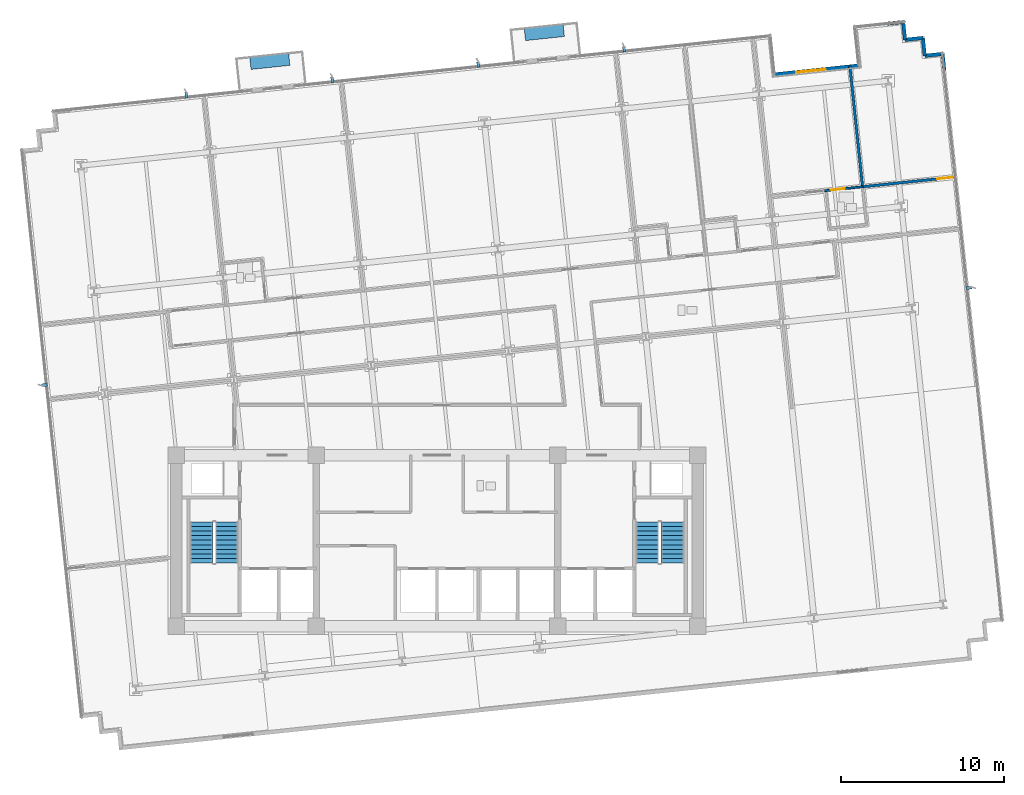
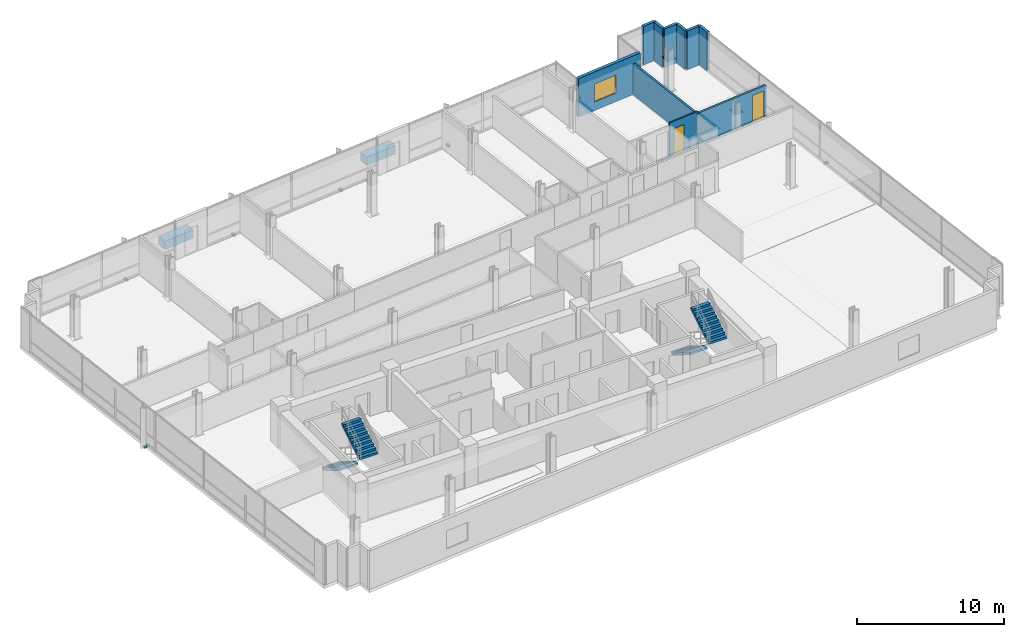
# One storey, part 16 of 21: 10 walls, 8 discrete accessories, 4 stair flights, 2 doors, 1 window, 3 openings, 2 elements without a shape of their own.
"""IFC4 building model written with IfcOpenShell, lengths in metres."""

from ifc_helpers import new_model, si_unit, direction, frame, frame_2d, origin, origin_2d, place, context, subcontext, project, spatial, polyline, rectangle, outline, extrude, material, layer, layer_set, type_object, element, fill, aggregate, save


model = new_model("IFC4")

# Units and contexts
model_context = context("Model", 3, precision=1e-05, world=origin(), true_north=direction((0.0, 1.0)))
body_context = subcontext(model_context, "Body", "Model", "MODEL_VIEW")
ifc_project = project(units=[si_unit("LENGTHUNIT", "METRE"), si_unit("AREAUNIT", "SQUARE_METRE"), si_unit("VOLUMEUNIT", "CUBIC_METRE"), si_unit("PLANEANGLEUNIT", "RADIAN"), si_unit("MASSUNIT", "GRAM", prefix="KILO")], contexts=[model_context])

# Site, building, storey
site_placement = place(None, origin())
site = spatial("IfcSite", under=ifc_project, at=site_placement, CompositionType="ELEMENT")
building_placement = place(site_placement, origin())
building = spatial("IfcBuilding", under=site, at=building_placement, Name="Solmavex Isthmus Hotel", CompositionType="ELEMENT")
storey_placement = place(building_placement, frame((0.0, 0.0, 113.25)))
storey = spatial("IfcBuildingStorey", under=building, at=storey_placement, Name="L30", CompositionType="ELEMENT", Elevation=113.25)

# Wall, opening, window
ifc_material_1 = material(Name="Precast Concrete C40/50", Category="concrete")
ifc_layer_1 = layer(ifc_material_1, 0.25)
ifc_layer_set_1 = layer_set([ifc_layer_1], Name="Precast Concrete C40/50")
wall_type_1 = type_object("IfcWallType", Name="EW-TWR-250", PredefinedType="STANDARD", material=ifc_layer_set_1)
wall_1_placement = place(storey_placement, frame((20.6982421875, 20.8369140625, 0.0), z_axis=(0.0, 0.0, 1.0), x_axis=(0.994519078969, 0.104555256048, 0.0)))
wall_1 = element("IfcWall", 1, at=wall_1_placement, inside=storey, type_object=wall_type_1, Name="Sky Garden Back Facade Wall L30", PredefinedType="STANDARD", context=body_context, shape_type="SweptSolid", body=[
    extrude(rectangle(XDim=5.2001953125, YDim=0.25, at=frame_2d((2.60009765625, 0.0))), origin(), (0.0, 0.0, 1.0), 3.18994140625),
])
opening_1_placement = place(wall_1_placement, frame((1.35009765625, 0.0, 0.699951171875)))
opening_1 = element("IfcOpeningElement", 2, at=opening_1_placement, cuts=wall_1, Name="Opening WN-02", PredefinedType="OPENING", context=body_context, shape_type="SweptSolid", body=[
    extrude(rectangle(XDim=1.800048828125, YDim=1.5, at=frame_2d((0.89990234375, 0.75))), frame((0.0, 0.135009765625, 0.0), z_axis=(0.0, -1.0, 0.0), x_axis=(1.0, 0.0, 0.0)), (0.0, 0.0, 1.0), 0.27001953125),
])
ifc_material_2 = material(Name="Clear low-E laminated glass", Category="glass")
window_type = type_object("IfcWindowType", Name="WIN-TWR-1800", PartitioningType="SINGLE_PANEL", PredefinedType="WINDOW", material=ifc_material_2)
window_placement = place(opening_1_placement, origin())
window = element("IfcWindow", 3, at=window_placement, inside=storey, type_object=window_type, Name="Sky Garden Overlook Window L30", OverallHeight=1.5, OverallWidth=1.800048828125, PartitioningType="SINGLE_PANEL", PredefinedType="WINDOW", context=body_context, shape_type="SweptSolid", body=[
    extrude(rectangle(XDim=1.800048828125, YDim=1.5, at=frame_2d((0.89990234375, 0.75))), frame((0.0, 0.030029296875, 0.0), z_axis=(0.0, -1.0, 0.0), x_axis=(1.0, 0.0, 0.0)), (0.0, 0.0, 1.0), 0.06005859375),
])
fill(opening_1, window)

# Walls
wall_2_placement = place(storey_placement, frame((27.609130859375, 23.966552734375, 0.0), z_axis=(0.0, 0.0, 1.0), x_axis=(0.994516259927, 0.104582067016, 0.0)))
element("IfcWall", 4, at=wall_2_placement, inside=storey, type_object=wall_type_1, Name="Serrated Corner Facade Panel L30-14", PredefinedType="STANDARD", context=body_context, shape_type="SweptSolid", body=[
    extrude(rectangle(XDim=0.98974609375, YDim=0.219970703125, at=frame_2d((0.494873046875, 0.0))), origin(), (0.0, 0.0, 1.0), 3.18994140625),
])
for number, where, z_axis, x_axis, name in (
    (5, (28.593505859375, 24.070068359375, 0.0), (0.0, 0.0, 1.0), (0.104534592565, -0.994521251134, 0.0), "Serrated Corner Facade Panel L30-15"),
    (6, (28.70849609375, 22.97607421875, 0.0), (0.0, 0.0, 1.0), (0.994521251134, 0.104534592565, 0.0), "Serrated Corner Facade Panel L30-16"),
    (7, (29.802490234375, 23.091064453125, 0.0), (0.0, 0.0, 1.0), (0.104534592565, -0.994521251134, 0.0), "Serrated Corner Facade Panel L30-17"),
    (8, (29.91748046875, 21.9970703125, 0.0), (0.0, 0.0, 1.0), (0.994521251134, 0.104534592565, 0.0), "Serrated Corner Facade Panel L30-18"),
):
    element("IfcWall", number, at=place(storey_placement, frame(where, z_axis=z_axis, x_axis=x_axis)), inside=storey, type_object=wall_type_1, Name=name, PredefinedType="STANDARD", context=body_context, shape_type="SweptSolid", body=[
        extrude(rectangle(XDim=1.10009765625, YDim=0.219970703125, at=frame_2d((0.550048828125, 0.0))), origin(), (0.0, 0.0, 1.0), 3.18994140625),
    ])
wall_3_placement = place(storey_placement, frame((31.011474609375, 22.112060546875, 0.0), z_axis=(0.0, 0.0, 1.0), x_axis=(0.104556418955, -0.99451895671, 0.0)))
element("IfcWall", 9, at=wall_3_placement, inside=storey, type_object=wall_type_1, Name="Serrated Corner Facade Panel L30-19", PredefinedType="STANDARD", context=body_context, shape_type="SweptSolid", body=[
    extrude(rectangle(XDim=0.989990234375, YDim=0.219970703125, at=frame_2d((0.4951171875, 0.0))), origin(), (0.0, 0.0, 1.0), 3.18994140625),
])

# Wall, opening, door
ifc_material_3 = material(Name="Gypsum plasterboard lining", Category="gypsum")
ifc_layer_2 = layer(ifc_material_3, 0.159912109375)
ifc_layer_set_2 = layer_set([ifc_layer_2], Name="Gypsum plasterboard lining")
wall_type_2 = type_object("IfcWallType", Name="IW-COMP-160", PredefinedType="PARTITIONING", material=ifc_layer_set_2)
wall_4_placement = place(storey_placement, frame((26.052734375, 13.95703125, 0.0), z_axis=(0.0, 0.0, 1.0), x_axis=(0.994523155578, 0.104516472481, 0.0)))
wall_4 = element("IfcWall", 10, at=wall_4_placement, inside=storey, type_object=wall_type_2, Name="Interior Partition Wall W-L30-P047", PredefinedType="PARTITIONING", context=body_context, shape_type="SweptSolid", body=[
    extrude(rectangle(XDim=5.81396484375, YDim=0.159912109375, at=frame_2d((2.906982421875, 0.0))), origin(), (0.0, 0.0, 1.0), 2.55322265625),
])
opening_2_placement = place(wall_4_placement, frame((4.654052734375, 0.0, 0.0)))
opening_2 = element("IfcOpeningElement", 11, at=opening_2_placement, cuts=wall_4, Name="Opening ID-C095", PredefinedType="OPENING", context=body_context, shape_type="SweptSolid", body=[
    extrude(rectangle(XDim=0.949951171875, YDim=2.14990234375, at=frame_2d((0.47509765625, 1.074951171875))), frame((0.0, 0.08984375, 0.0), z_axis=(0.0, -1.0, 0.0), x_axis=(1.0, 0.0, 0.0)), (0.0, 0.0, 1.0), 0.179931640625),
])
ifc_material_4 = material(Name="Hardwood timber", Category="wood")
door_type_1 = type_object("IfcDoorType", Name="IDR-FD60-0950", OperationType="NOTDEFINED", PredefinedType="DOOR", material=ifc_material_4)
door_1_placement = place(opening_2_placement, origin())
door_1 = element("IfcDoor", 12, at=door_1_placement, inside=storey, type_object=door_type_1, Name="Ambassador Panorama Suite Panorama Sitting Study Door L30-11", OperationType="SINGLE_SWING_LEFT", OverallHeight=2.14990234375, OverallWidth=0.949951171875, PredefinedType="DOOR", context=body_context, shape_type="SweptSolid", body=[
    extrude(rectangle(XDim=0.949951171875, YDim=2.14990234375, at=frame_2d((0.47509765625, 1.074951171875))), frame((0.0, 0.02490234375, 0.0), z_axis=(0.0, -1.0, 0.0), x_axis=(1.0, 0.0, 0.0)), (0.0, 0.0, 1.0), 0.050048828125),
])
fill(opening_2, door_1)

# Wall
wall_5_placement = place(storey_placement, frame((25.32470703125, 21.363525390625, 0.0), z_axis=(0.0, 0.0, 1.0), x_axis=(0.1045132307, -0.994523496258, 0.0)))
element("IfcWall", 13, at=wall_5_placement, inside=storey, type_object=wall_type_2, Name="Interior Partition Wall W-L30-P052", PredefinedType="PARTITIONING", context=body_context, shape_type="SweptSolid", body=[
    extrude(rectangle(XDim=7.482177734375, YDim=0.159912109375, at=frame_2d((3.7412109375, 0.0))), origin(), (0.0, 0.0, 1.0), 2.55322265625),
])

# Wall, opening, door
ifc_layer_3 = layer(ifc_material_3, 0.1201171875)
ifc_layer_set_3 = layer_set([ifc_layer_3], Name="Gypsum plasterboard lining")
wall_type_3 = type_object("IfcWallType", Name="IW-PART-120", PredefinedType="PARTITIONING", material=ifc_layer_set_3)
wall_6_placement = place(storey_placement, frame((26.142333984375, 13.96630859375, 0.0), z_axis=(0.0, 0.0, 1.0), x_axis=(-0.994528550709, -0.104465122526, 0.0)))
wall_6 = element("IfcWall", 14, at=wall_6_placement, inside=storey, type_object=wall_type_3, Name="Interior Partition Wall W-L30-P053", PredefinedType="PARTITIONING", context=body_context, shape_type="SweptSolid", body=[
    extrude(rectangle(XDim=2.3720703125, YDim=0.1201171875, at=frame_2d((1.18603515625, 0.0))), origin(), (0.0, 0.0, 1.0), 2.718017578125),
])
opening_3_placement = place(wall_6_placement, frame((1.14599609375, 0.0, 0.0)))
opening_3 = element("IfcOpeningElement", 15, at=opening_3_placement, cuts=wall_6, Name="Opening ID-U085", PredefinedType="OPENING", context=body_context, shape_type="SweptSolid", body=[
    extrude(rectangle(XDim=0.85009765625, YDim=2.10009765625, at=frame_2d((0.425048828125, 1.050048828125))), frame((0.0, 0.070068359375, 0.0), z_axis=(0.0, -1.0, 0.0), x_axis=(1.0, 0.0, 0.0)), (0.0, 0.0, 1.0), 0.14013671875),
])
door_type_2 = type_object("IfcDoorType", Name="IDR-UNR-0850", OperationType="NOTDEFINED", PredefinedType="DOOR", material=ifc_material_4)
door_2_placement = place(opening_3_placement, frame((0.85009765625, 0.0, 0.0), z_axis=(0.0, 0.0, 1.0), x_axis=(-1.0, 0.0, 0.0)))
door_2 = element("IfcDoor", 16, at=door_2_placement, inside=storey, type_object=door_type_2, Name="En-suite Bathroom Door L30-12", OperationType="SINGLE_SWING_RIGHT", OverallHeight=2.10009765625, OverallWidth=0.85009765625, PredefinedType="DOOR", context=body_context, shape_type="SweptSolid", body=[
    extrude(rectangle(XDim=0.85009765625, YDim=2.10009765625, at=frame_2d((0.425048828125, 1.050048828125))), frame((0.0, 0.02490234375, 0.0), z_axis=(0.0, -1.0, 0.0), x_axis=(1.0, 0.0, 0.0)), (0.0, 0.0, 1.0), 0.050048828125),
])
fill(opening_3, door_2)

# Stair, stair flights
ifc_material_5 = material(Name="Concrete C40/50", Category="concrete")
stair_type_1 = type_object("IfcStairType", Name="STR-ST-1", PredefinedType="HALF_TURN_STAIR", material=ifc_material_5)
stair_1_placement = place(storey_placement, origin())
stair_1 = element("IfcStair", 17, at=stair_1_placement, inside=storey, type_object=stair_type_1, Name="L30 Protected Exit Stair ST-1", PredefinedType="HALF_TURN_STAIR")
stair_flight_type_1 = type_object("IfcStairFlightType", Name="SFL-ST-1", PredefinedType="STRAIGHT", material=ifc_material_5)
stair_flight_1_placement = place(storey_placement, frame((-14.449951171875, -6.60009765625, 0.0), z_axis=(0.0, 0.0, 1.0), x_axis=(0.0, -1.0, 0.0)))
stair_flight_1 = element("IfcStairFlight", 18, at=stair_flight_1_placement, type_object=stair_flight_type_1, Name="ST-1 flight 1", NumberOfRisers=10, NumberOfTreads=9, PredefinedType="STRAIGHT", RiserHeight=0.1725, TreadLength=0.28, context=body_context, shape_type="SweptSolid", body=[
    extrude(outline(polyline([(0.0, 0.0), (0.0, 0.172607421875), (0.280029296875, 0.172607421875), (0.280029296875, 0.344970703125), (0.56005859375, 0.344970703125), (0.56005859375, 0.517578125), (0.840087890625, 0.517578125), (0.840087890625, 0.68994140625), (1.1201171875, 0.68994140625), (1.1201171875, 0.862548828125), (1.39990234375, 0.862548828125), (1.39990234375, 1.034912109375), (1.679931640625, 1.034912109375), (1.679931640625, 1.20751953125), (1.9599609375, 1.20751953125), (1.9599609375, 1.3798828125), (2.239990234375, 1.3798828125), (2.239990234375, 1.552490234375), (2.52001953125, 1.552490234375), (2.52001953125, 1.72509765625), (2.52001953125, 1.37646484375), (0.285888671875, 0.0), (0.0, 0.0)])), frame((0.0, 0.699951171875, 0.0), z_axis=(0.0, -1.0, 0.0), x_axis=(1.0, 0.0, 0.0)), (0.0, 0.0, 1.0), 1.39990234375),
])
stair_flight_2_placement = place(storey_placement, frame((-12.89990234375, -9.1201171875, 1.72509765625), z_axis=(0.0, 0.0, 1.0), x_axis=(0.0, 1.0, 0.0)))
stair_flight_2 = element("IfcStairFlight", 19, at=stair_flight_2_placement, type_object=stair_flight_type_1, Name="ST-1 flight 2", NumberOfRisers=10, NumberOfTreads=9, PredefinedType="STRAIGHT", RiserHeight=0.1725, TreadLength=0.28, context=body_context, shape_type="SweptSolid", body=[
    extrude(outline(polyline([(0.0, 0.0), (0.0, 0.172607421875), (0.280029296875, 0.172607421875), (0.280029296875, 0.344970703125), (0.56005859375, 0.344970703125), (0.56005859375, 0.517578125), (0.840087890625, 0.517578125), (0.840087890625, 0.68994140625), (1.1201171875, 0.68994140625), (1.1201171875, 0.862548828125), (1.39990234375, 0.862548828125), (1.39990234375, 1.034912109375), (1.679931640625, 1.034912109375), (1.679931640625, 1.20751953125), (1.9599609375, 1.20751953125), (1.9599609375, 1.3798828125), (2.239990234375, 1.3798828125), (2.239990234375, 1.552490234375), (2.52001953125, 1.552490234375), (2.52001953125, 1.72509765625), (2.52001953125, 1.37646484375), (0.285888671875, 0.0), (0.0, 0.0)])), frame((0.0, 0.699951171875, 0.0), z_axis=(0.0, -1.0, 0.0), x_axis=(1.0, 0.0, 0.0)), (0.0, 0.0, 1.0), 1.39990234375),
])
aggregate(stair_1, [stair_flight_1, stair_flight_2])

stair_type_2 = type_object("IfcStairType", Name="STR-ST-2", PredefinedType="HALF_TURN_STAIR", material=ifc_material_5)
stair_2_placement = place(storey_placement, origin())
stair_2 = element("IfcStair", 20, at=stair_2_placement, inside=storey, type_object=stair_type_2, Name="L30 Protected Exit Stair ST-2", PredefinedType="HALF_TURN_STAIR")
stair_flight_type_2 = type_object("IfcStairFlightType", Name="SFL-ST-2", PredefinedType="STRAIGHT", material=ifc_material_5)
stair_flight_3_placement = place(storey_placement, frame((12.89990234375, -6.60009765625, 0.0), z_axis=(0.0, 0.0, 1.0), x_axis=(0.0, -1.0, 0.0)))
stair_flight_3 = element("IfcStairFlight", 21, at=stair_flight_3_placement, type_object=stair_flight_type_2, Name="ST-2 flight 1", NumberOfRisers=10, NumberOfTreads=9, PredefinedType="STRAIGHT", RiserHeight=0.1725, TreadLength=0.28, context=body_context, shape_type="SweptSolid", body=[
    extrude(outline(polyline([(0.0, 0.0), (0.0, 0.172607421875), (0.280029296875, 0.172607421875), (0.280029296875, 0.344970703125), (0.56005859375, 0.344970703125), (0.56005859375, 0.517578125), (0.840087890625, 0.517578125), (0.840087890625, 0.68994140625), (1.1201171875, 0.68994140625), (1.1201171875, 0.862548828125), (1.39990234375, 0.862548828125), (1.39990234375, 1.034912109375), (1.679931640625, 1.034912109375), (1.679931640625, 1.20751953125), (1.9599609375, 1.20751953125), (1.9599609375, 1.3798828125), (2.239990234375, 1.3798828125), (2.239990234375, 1.552490234375), (2.52001953125, 1.552490234375), (2.52001953125, 1.72509765625), (2.52001953125, 1.37646484375), (0.285888671875, 0.0), (0.0, 0.0)])), frame((0.0, 0.699951171875, 0.0), z_axis=(0.0, -1.0, 0.0), x_axis=(1.0, 0.0, 0.0)), (0.0, 0.0, 1.0), 1.39990234375),
])
stair_flight_4_placement = place(storey_placement, frame((14.449951171875, -9.1201171875, 1.72509765625), z_axis=(0.0, 0.0, 1.0), x_axis=(0.0, 1.0, 0.0)))
stair_flight_4 = element("IfcStairFlight", 22, at=stair_flight_4_placement, type_object=stair_flight_type_2, Name="ST-2 flight 2", NumberOfRisers=10, NumberOfTreads=9, PredefinedType="STRAIGHT", RiserHeight=0.1725, TreadLength=0.28, context=body_context, shape_type="SweptSolid", body=[
    extrude(outline(polyline([(0.0, 0.0), (0.0, 0.172607421875), (0.280029296875, 0.172607421875), (0.280029296875, 0.344970703125), (0.56005859375, 0.344970703125), (0.56005859375, 0.517578125), (0.840087890625, 0.517578125), (0.840087890625, 0.68994140625), (1.1201171875, 0.68994140625), (1.1201171875, 0.862548828125), (1.39990234375, 0.862548828125), (1.39990234375, 1.034912109375), (1.679931640625, 1.034912109375), (1.679931640625, 1.20751953125), (1.9599609375, 1.20751953125), (1.9599609375, 1.3798828125), (2.239990234375, 1.3798828125), (2.239990234375, 1.552490234375), (2.52001953125, 1.552490234375), (2.52001953125, 1.72509765625), (2.52001953125, 1.37646484375), (0.285888671875, 0.0), (0.0, 0.0)])), frame((0.0, 0.699951171875, 0.0), z_axis=(0.0, -1.0, 0.0), x_axis=(1.0, 0.0, 0.0)), (0.0, 0.0, 1.0), 1.39990234375),
])
aggregate(stair_2, [stair_flight_3, stair_flight_4])

# Discrete accessories
ifc_material_6 = material(Name="Steel ASTM A572 Grade 50", Category="steel")
discrete_accessory_type_1 = type_object("IfcDiscreteAccessoryType", Name="ACC-BRK-FIN", PredefinedType="BRACKET", material=ifc_material_6)
for number, where, z_axis, x_axis, name in (
    (23, (-15.367919921875, 19.580078125, -0.169921875), (0.0, 0.0, 1.0), (-0.104528463268, 0.994521895368, 0.0), "Facade Fin Support Bracket L30-N1"),
    (24, (-6.417236328125, 20.52099609375, -0.169921875), (0.0, 0.0, 1.0), (-0.104528463268, 0.994521895368, 0.0), "Facade Fin Support Bracket L30-N2"),
    (25, (2.533447265625, 21.461669921875, -0.169921875), (0.0, 0.0, 1.0), (-0.104528463268, 0.994521895368, 0.0), "Facade Fin Support Bracket L30-N3"),
    (26, (11.484130859375, 22.40234375, -0.169921875), (0.0, 0.0, 1.0), (-0.104528463268, 0.994521895368, 0.0), "Facade Fin Support Bracket L30-N4"),
    (27, (-24.077392578125, 1.802490234375, -0.169921875), (0.0, 0.0, 1.0), (-0.994521895368, -0.104528463268, 0.0), "Facade Fin Support Bracket L30-W1"),
    (28, (32.650146484375, 7.7646484375, -0.169921875), (0.0, 0.0, 1.0), (0.994521895368, 0.104528463268, 0.0), "Facade Fin Support Bracket L30-E1"),
):
    element("IfcDiscreteAccessory", number, at=place(storey_placement, frame(where, z_axis=z_axis, x_axis=x_axis)), inside=storey, type_object=discrete_accessory_type_1, Name=name, PredefinedType="BRACKET", context=body_context, shape_type="SweptSolid", body=[
        extrude(rectangle(XDim=0.340087890625, YDim=0.179931640625, at=origin_2d()), origin(), (0.0, 0.0, 1.0), 0.159912109375),
    ])
discrete_accessory_type_2 = type_object("IfcDiscreteAccessoryType", Name="ACC-PLN-BALC", PredefinedType="USERDEFINED", material=ifc_material_1)
for number, where, z_axis, x_axis, name in (
    (29, (-10.255859375, 21.656005859375, 0.0), (0.0, 0.0, 1.0), (0.994521895368, 0.104528463268, 0.0), "Tree-Balcony Architectural Planter L30-B1"),
    (30, (6.583251953125, 23.42578125, 0.0), (0.0, 0.0, 1.0), (0.994521895368, 0.104528463268, 0.0), "Tree-Balcony Architectural Planter L30-B2"),
):
    element("IfcDiscreteAccessory", number, at=place(storey_placement, frame(where, z_axis=z_axis, x_axis=x_axis)), inside=storey, type_object=discrete_accessory_type_2, Name=name, ObjectType="PLANTER", PredefinedType="USERDEFINED", context=body_context, shape_type="SweptSolid", body=[
        extrude(rectangle(XDim=2.39990234375, YDim=0.75, at=origin_2d()), origin(), (0.0, 0.0, 1.0), 0.699951171875),
    ])

save(model, "model.ifc")
